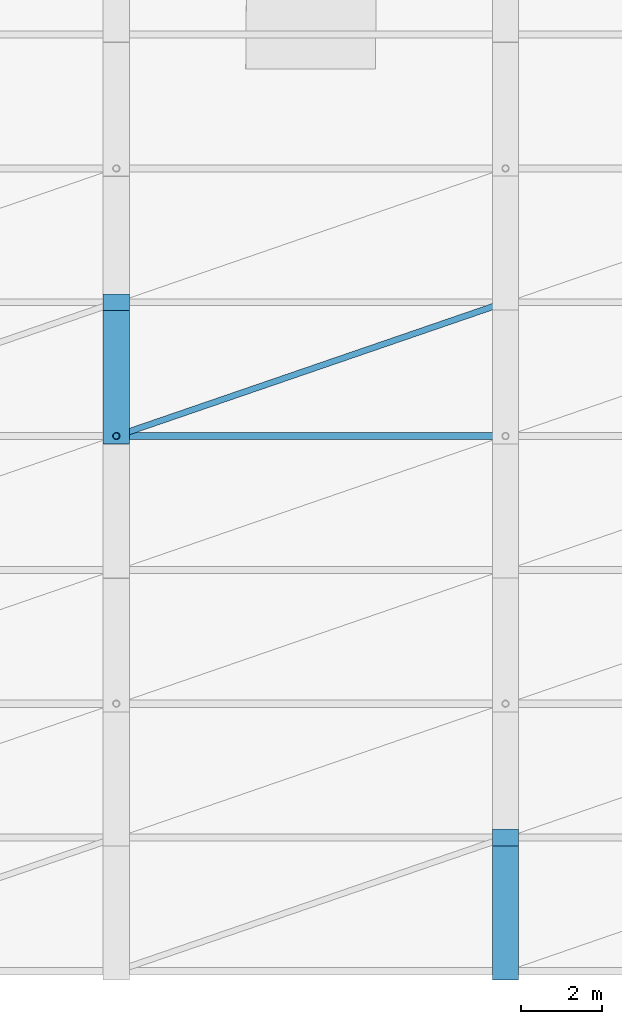
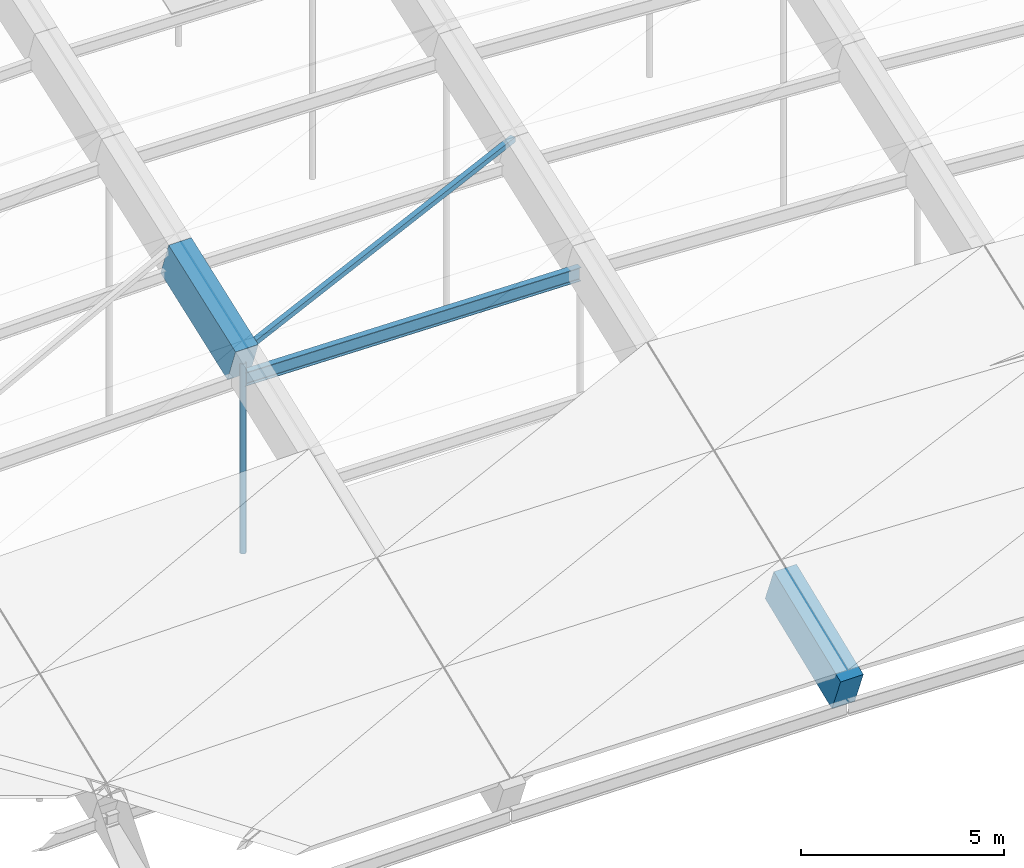
# One storey, part 12 of 43: 3 members, 2 beams.
"""IFC4 building model written with IfcOpenShell, lengths in metres."""

from ifc_helpers import new_model, si_unit, direction, frame, origin, origin_2d, place, context, subcontext, project, spatial, rectangle, hollow_rectangle, hollow_circle, i_section, extrude, material, material_profile, profile_set, type_object, element, save


model = new_model("IFC4")

# Units and contexts
model_context = context("Model", 3, precision=1e-05, world=origin(), true_north=direction((0.0, 1.0)))
body_context = subcontext(model_context, "Body", "Model", "MODEL_VIEW")
ifc_project = project(units=[si_unit("LENGTHUNIT", "METRE"), si_unit("AREAUNIT", "SQUARE_METRE"), si_unit("VOLUMEUNIT", "CUBIC_METRE"), si_unit("PLANEANGLEUNIT", "RADIAN"), si_unit("MASSUNIT", "GRAM", prefix="KILO")], contexts=[model_context])

# Site, building, storey
site_placement = place(None, origin())
site = spatial("IfcSite", under=ifc_project, at=site_placement, CompositionType="ELEMENT")
building_placement = place(site_placement, origin())
building = spatial("IfcBuilding", under=site, at=building_placement, Name="Chalmorin Arch Market", CompositionType="ELEMENT")
storey_placement = place(building_placement, frame((0.0, 0.0, 18.60009765625)))
storey = spatial("IfcBuildingStorey", under=building, at=storey_placement, Name="RF", CompositionType="ELEMENT", Elevation=18.60009765625)

# Member
ifc_material_1 = material(Name="Steel A500 Grade C", Category="steel")
ifc_material_profile_1 = material_profile(ifc_material_1, hollow_circle(Radius=0.084228515625, WallThickness=0.007080078125, at=origin_2d()), Name="CHS168X7")
ifc_profile_set_1 = profile_set([ifc_material_profile_1], Name="Steel A500 Grade C")
member_type_1 = type_object("IfcMemberType", Name="ArchHangerTie-CHS168", PredefinedType="CHORD", material=ifc_profile_set_1)
member_1_placement = place(storey_placement, frame((86.39990234375, 19.199951171875, -2.4501953125), z_axis=(0.0, 0.0, 1.0), x_axis=(1.0, 0.0, 0.0)))
element("IfcMember", 1, at=member_1_placement, inside=storey, type_object=member_type_1, Name="HT-CH168-0157", PredefinedType="CHORD", context=body_context, shape_type="SweptSolid", body=[
    extrude(hollow_circle(Radius=0.084228515625, WallThickness=0.007080078125, at=origin_2d()), origin(), (0.0, 0.0, 1.0), 5.72119140625),
])

# Beams
ifc_material_2 = material(Name="Concrete C50/60", Category="concrete")
ifc_material_profile_2 = material_profile(ifc_material_2, rectangle(XDim=0.64990234375, YDim=1.14990234375, at=origin_2d()), Name="RC650X1150")
ifc_profile_set_2 = profile_set([ifc_material_profile_2], Name="Concrete C50/60")
beam_type = type_object("IfcBeamType", Name="ArchRibChord-650x1150", PredefinedType="BEAM", material=ifc_profile_set_2)
beam_1_placement = place(storey_placement, frame((86.39990234375, 19.199951171875, 3.27099609375), z_axis=(0.0, 0.938319410997, 0.345769696396), x_axis=(-1.0, 0.0, 0.0)))
element("IfcBeam", 2, at=beam_1_placement, inside=storey, type_object=beam_type, Name="AR-01-1665", PredefinedType="BEAM", context=body_context, shape_type="SweptSolid", body=[
    extrude(rectangle(XDim=0.64990234375, YDim=1.14990234375, at=origin_2d()), origin(), (0.0, 0.0, 1.0), 3.51708984375),
])
beam_2_placement = place(storey_placement, frame((96.0, 6.0, -2.0029296875), z_axis=(0.0, 0.928377186823, 0.371639339935), x_axis=(-1.0, 0.0, 0.0)))
element("IfcBeam", 3, at=beam_2_placement, inside=storey, type_object=beam_type, Name="AR-01-1680", PredefinedType="BEAM", context=body_context, shape_type="SweptSolid", body=[
    extrude(rectangle(XDim=0.64990234375, YDim=1.14990234375, at=origin_2d()), origin(), (0.0, 0.0, 1.0), 3.5546875),
])

# Members
ifc_material_3 = material(Name="Steel A992 Grade 50", Category="steel")
ifc_material_profile_3 = material_profile(ifc_material_3, i_section(OverallWidth=0.178955078125, OverallDepth=0.409912109375, WebThickness=0.0087890625, FlangeThickness=0.014404296875, FilletRadius=0.01806640625, at=origin_2d()), Name="W16X45")
ifc_profile_set_3 = profile_set([ifc_material_profile_3], Name="Steel A992 Grade 50")
member_type_2 = type_object("IfcMemberType", Name="RoofSteelPurlin-W16X45", PredefinedType="PURLIN", material=ifc_profile_set_3)
member_2_placement = place(storey_placement, frame((86.419921875, 19.199951171875, 2.791015625), z_axis=(0.999837047261, 0.0, -0.01805211687), x_axis=(0.0, 1.0, 0.0)))
element("IfcMember", 4, at=member_2_placement, inside=storey, type_object=member_type_2, Name="PR-W16-0264", PredefinedType="PURLIN", context=body_context, shape_type="SweptSolid", body=[
    extrude(i_section(OverallWidth=0.178955078125, OverallDepth=0.409912109375, WebThickness=0.0087890625, FlangeThickness=0.014404296875, FilletRadius=0.01806640625, at=origin_2d()), origin(), (0.0, 0.0, 1.0), 9.5615234375),
])
ifc_material_profile_4 = material_profile(ifc_material_1, hollow_rectangle(XDim=0.15234375, YDim=0.15234375, WallThickness=0.0087890625, at=origin_2d()), Name="HSS6X6X3/8")
ifc_profile_set_4 = profile_set([ifc_material_profile_4], Name="Steel A500 Grade C")
member_type_3 = type_object("IfcMemberType", Name="VaultWindBrace-HSS6X6", PredefinedType="BRACE", material=ifc_profile_set_4)
member_3_placement = place(storey_placement, frame((86.39990234375, 19.199951171875, 3.62109375), z_axis=(0.940884811618, 0.323430649475, 0.100639883975), x_axis=(-0.325081112779, 0.945686137212, 0.0)))
element("IfcMember", 5, at=member_3_placement, inside=storey, type_object=member_type_3, Name="BR-HS6-0278", ObjectType="Diagonal brace", PredefinedType="BRACE", context=body_context, shape_type="SweptSolid", body=[
    extrude(hollow_rectangle(XDim=0.15234375, YDim=0.15234375, WallThickness=0.0087890625, at=origin_2d()), origin(), (0.0, 0.0, 1.0), 10.203369140625),
])

save(model, "model.ifc")
